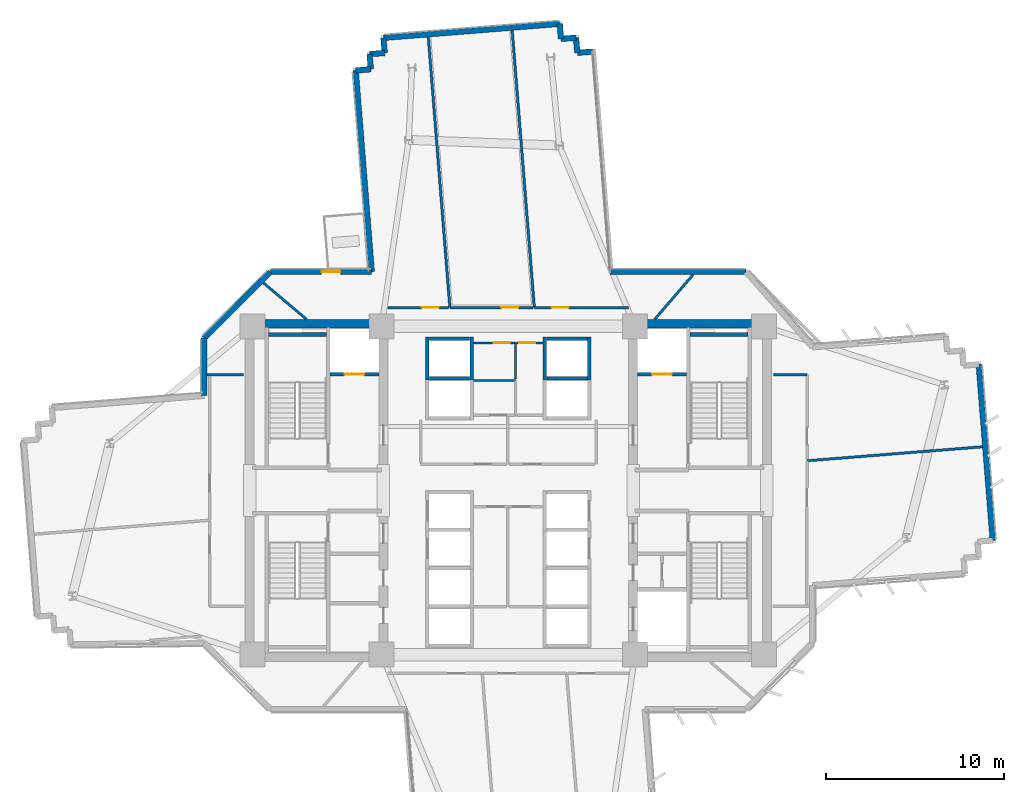
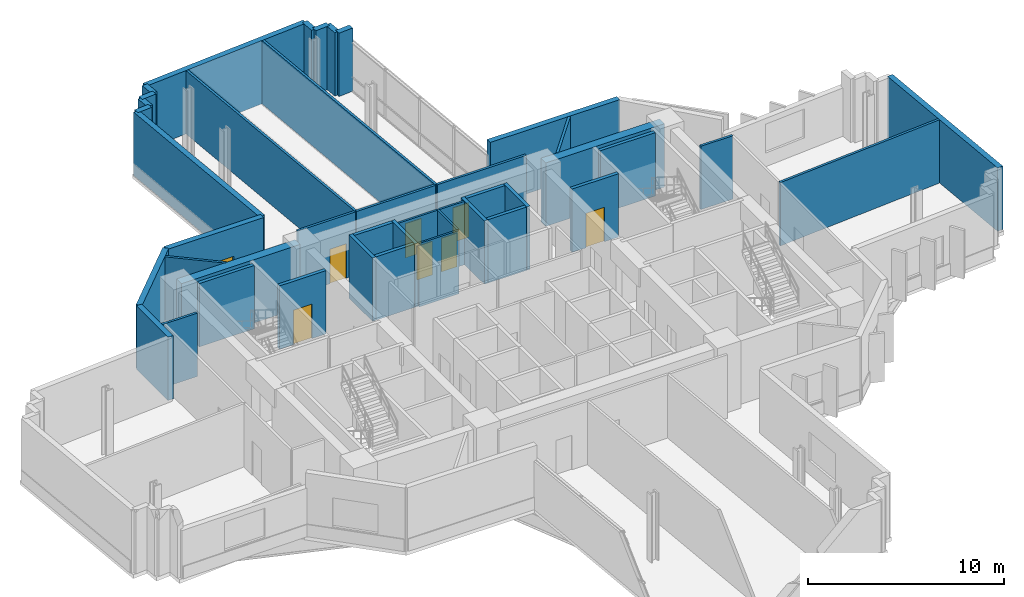
# One storey, part 9 of 15: 43 walls, 8 doors, 8 openings.
"""IFC4 building model written with IfcOpenShell, lengths in metres."""

from ifc_helpers import new_model, si_unit, direction, frame, frame_2d, origin, place, context, subcontext, project, spatial, rectangle, extrude, source, transform, mapped, material, layer, layer_set, type_object, element, fill, save


model = new_model("IFC4")

# Units and contexts
model_context = context("Model", 3, precision=1e-05, world=origin(), true_north=direction((0.0, 1.0)))
body_context = subcontext(model_context, "Body", "Model", "MODEL_VIEW")
ifc_project = project(units=[si_unit("LENGTHUNIT", "METRE"), si_unit("AREAUNIT", "SQUARE_METRE"), si_unit("VOLUMEUNIT", "CUBIC_METRE"), si_unit("PLANEANGLEUNIT", "RADIAN"), si_unit("MASSUNIT", "GRAM", prefix="KILO")], contexts=[model_context])

# Site, building, storey
site_placement = place(None, origin())
site = spatial("IfcSite", under=ifc_project, at=site_placement, CompositionType="ELEMENT")
building_placement = place(site_placement, origin())
building = spatial("IfcBuilding", under=site, at=building_placement, Name="Zahravan Cultural Tower", CompositionType="ELEMENT")
storey_placement = place(building_placement, frame((0.0, 0.0, 83.699951171875)))
storey = spatial("IfcBuildingStorey", under=building, at=storey_placement, Name="L18", CompositionType="ELEMENT", Elevation=83.699951171875)

# Wall, opening, door
ifc_material_1 = material(Name="Precast concrete C40/50", Category="concrete")
ifc_layer_1 = layer(ifc_material_1, 0.320068359375)
ifc_layer_set_1 = layer_set([ifc_layer_1], Name="Precast concrete C40/50")
wall_type_1 = type_object("IfcWallType", Name="EW-TC-320", PredefinedType="SOLIDWALL", material=ifc_layer_set_1)
wall_1_placement = place(storey_placement, frame((22.657958984375, 39.260009765625, 0.0), z_axis=(0.0, 0.0, 1.0), x_axis=(1.0, 0.0, 0.0)))
wall_1 = element("IfcWall", 1, at=wall_1_placement, inside=storey, type_object=wall_type_1, Name="L18 Exterior Masonry Frame Wall 40", PredefinedType="SOLIDWALL", context=body_context, shape_type="SweptSolid", body=[
    extrude(rectangle(XDim=5.68310546875, YDim=0.320068359375, at=frame_2d((2.841552734375, 0.0))), origin(), (0.0, 0.0, 1.0), 3.949951171875),
])
opening_1_placement = place(wall_1_placement, frame((2.8720703125, 0.0, 0.0)))
opening_1 = element("IfcOpeningElement", 2, at=opening_1_placement, cuts=wall_1, Name="Opening D-L18-TR-NW", PredefinedType="OPENING", context=body_context, shape_type="SweptSolid", body=[
    extrude(rectangle(XDim=1.050048828125, YDim=2.14990234375, at=frame_2d((0.52490234375, 1.074951171875))), frame((0.0, 0.169921875, 0.0), z_axis=(0.0, -1.0, 0.0), x_axis=(1.0, 0.0, 0.0)), (0.0, 0.0, 1.0), 0.340087890625),
])
ifc_material_2 = material(Name="Anodised bronze-aluminium mullion", Category="aluminium")
door_type_1 = type_object("IfcDoorType", Name="DR-TERR-1050", OperationType="NOTDEFINED", PredefinedType="DOOR", material=ifc_material_2)
shared_shape_1 = source(origin(), body_context, "Body", "SweptSolid", [
    extrude(rectangle(XDim=1.050048828125, YDim=2.14990234375, at=frame_2d((0.52490234375, 1.074951171875))), frame((0.0, 0.02490234375, 0.0), z_axis=(0.0, -1.0, 0.0), x_axis=(1.0, 0.0, 0.0)), (0.0, 0.0, 1.0), 0.050048828125),
])
door_1_placement = place(opening_1_placement, origin())
door_1 = element("IfcDoor", 3, at=door_1_placement, inside=storey, type_object=door_type_1, Name="L18 Terrace Access Door NW", OperationType="SINGLE_SWING_LEFT", OverallHeight=2.14990234375, OverallWidth=1.050048828125, PredefinedType="DOOR", context=body_context, shape_type="MappedRepresentation", body=[
    mapped(shared_shape_1, transform((0.0, 0.0, 0.0), x_axis=(1.0, 0.0, 0.0), y_axis=(0.0, 1.0, 0.0), z_axis=(0.0, 0.0, 1.0), scale=1.0)),
])
fill(opening_1, door_1)

ifc_material_3 = material(Name="Gypsum plasterboard partition")
ifc_layer_2 = layer(ifc_material_3, 0.139892578125)
ifc_layer_set_2 = layer_set([ifc_layer_2], Name="Gypsum plasterboard partition")
wall_type_2 = type_object("IfcWallType", Name="W-PART-140", PredefinedType="PARTITIONING", material=ifc_layer_set_2)
wall_2_placement = place(storey_placement, frame((37.3837890625, 37.260009765625, 0.0), z_axis=(0.0, 0.0, 1.0), x_axis=(-1.0, 0.0, 0.0)))
wall_2 = element("IfcWall", 4, at=wall_2_placement, inside=storey, type_object=wall_type_2, Name="L18 Interior Wall 086", PredefinedType="PARTITIONING", context=body_context, shape_type="SweptSolid", body=[
    extrude(rectangle(XDim=4.659912109375, YDim=0.139892578125, at=frame_2d((2.330078125, 0.0))), origin(), (0.0, 0.0, 1.0), 3.949951171875),
])
opening_2_placement = place(wall_2_placement, frame((0.816162109375, 0.0, 0.0)))
opening_2 = element("IfcOpeningElement", 5, at=opening_2_placement, cuts=wall_2, Name="Opening D-L18-22", PredefinedType="OPENING", context=body_context, shape_type="SweptSolid", body=[
    extrude(rectangle(XDim=0.949951171875, YDim=2.14990234375, at=frame_2d((0.47509765625, 1.074951171875))), frame((0.0, 0.079833984375, 0.0), z_axis=(0.0, -1.0, 0.0), x_axis=(1.0, 0.0, 0.0)), (0.0, 0.0, 1.0), 0.159912109375),
])
door_type_2 = type_object("IfcDoorType", Name="DR-ROOM-950", OperationType="NOTDEFINED", PredefinedType="DOOR", material=ifc_material_2)
shared_shape_2 = source(origin(), body_context, "Body", "SweptSolid", [
    extrude(rectangle(XDim=0.949951171875, YDim=2.14990234375, at=frame_2d((0.47509765625, 1.074951171875))), frame((0.0, 0.02490234375, 0.0), z_axis=(0.0, -1.0, 0.0), x_axis=(1.0, 0.0, 0.0)), (0.0, 0.0, 1.0), 0.050048828125),
])
door_2_placement = place(opening_2_placement, origin())
door_2 = element("IfcDoor", 6, at=door_2_placement, inside=storey, type_object=door_type_2, Name="L18 Door D-L18-22", OperationType="SINGLE_SWING_LEFT", OverallHeight=2.14990234375, OverallWidth=0.949951171875, PredefinedType="DOOR", context=body_context, shape_type="MappedRepresentation", body=[
    mapped(shared_shape_2, transform((0.0, 0.0, 0.0), x_axis=(1.0, 0.0, 0.0), y_axis=(0.0, 1.0, 0.0), z_axis=(0.0, 0.0, 1.0), scale=1.0)),
])
fill(opening_2, door_2)

wall_3_placement = place(storey_placement, frame((32.648681640625, 37.260009765625, 0.0), z_axis=(0.0, 0.0, 1.0), x_axis=(-0.999999935313, -0.00035968633, 0.0)))
wall_3 = element("IfcWall", 7, at=wall_3_placement, inside=storey, type_object=wall_type_2, Name="L18 Interior Wall 094", PredefinedType="PARTITIONING", context=body_context, shape_type="SweptSolid", body=[
    extrude(rectangle(XDim=3.393798828125, YDim=0.139892578125, at=frame_2d((1.69677734375, 0.0))), origin(), (0.0, 0.0, 1.0), 3.949951171875),
])
opening_3_placement = place(wall_3_placement, frame((0.53759765625, 0.0, 0.0)))
opening_3 = element("IfcOpeningElement", 8, at=opening_3_placement, cuts=wall_3, Name="Opening D-L18-23", PredefinedType="OPENING", context=body_context, shape_type="SweptSolid", body=[
    extrude(rectangle(XDim=0.949951171875, YDim=2.14990234375, at=frame_2d((0.47509765625, 1.074951171875))), frame((0.0, 0.079833984375, 0.0), z_axis=(0.0, -1.0, 0.0), x_axis=(1.0, 0.0, 0.0)), (0.0, 0.0, 1.0), 0.159912109375),
])
door_3_placement = place(opening_3_placement, origin())
door_3 = element("IfcDoor", 9, at=door_3_placement, inside=storey, type_object=door_type_2, Name="L18 Door D-L18-23", OperationType="SINGLE_SWING_RIGHT", OverallHeight=2.14990234375, OverallWidth=0.949951171875, PredefinedType="DOOR", context=body_context, shape_type="MappedRepresentation", body=[
    mapped(shared_shape_2, transform((0.0, 0.0, 0.0), x_axis=(1.0, 0.0, 0.0), y_axis=(0.0, 1.0, 0.0), z_axis=(0.0, 0.0, 1.0), scale=1.0)),
])
fill(opening_3, door_3)

wall_4_placement = place(storey_placement, frame((42.742431640625, 37.259765625, 0.0), z_axis=(0.0, 0.0, 1.0), x_axis=(-0.999999998924, 4.6384341e-05, 0.0)))
wall_4 = element("IfcWall", 10, at=wall_4_placement, inside=storey, type_object=wall_type_2, Name="L18 Interior Wall 096", PredefinedType="PARTITIONING", context=body_context, shape_type="SweptSolid", body=[
    extrude(rectangle(XDim=5.263427734375, YDim=0.139892578125, at=frame_2d((2.6318359375, 0.0))), origin(), (0.0, 0.0, 1.0), 3.949951171875),
])
opening_4_placement = place(wall_4_placement, frame((3.364501953125, 0.0, 0.0)))
opening_4 = element("IfcOpeningElement", 11, at=opening_4_placement, cuts=wall_4, Name="Opening D-L18-21", PredefinedType="OPENING", context=body_context, shape_type="SweptSolid", body=[
    extrude(rectangle(XDim=0.949951171875, YDim=2.14990234375, at=frame_2d((0.47509765625, 1.074951171875))), frame((0.0, 0.079833984375, 0.0), z_axis=(0.0, -1.0, 0.0), x_axis=(1.0, 0.0, 0.0)), (0.0, 0.0, 1.0), 0.159912109375),
])
door_4_placement = place(opening_4_placement, origin())
door_4 = element("IfcDoor", 12, at=door_4_placement, inside=storey, type_object=door_type_2, Name="L18 Door D-L18-21", OperationType="SINGLE_SWING_RIGHT", OverallHeight=2.14990234375, OverallWidth=0.949951171875, PredefinedType="DOOR", context=body_context, shape_type="MappedRepresentation", body=[
    mapped(shared_shape_2, transform((0.0, 0.0, 0.0), x_axis=(1.0, 0.0, 0.0), y_axis=(0.0, 1.0, 0.0), z_axis=(0.0, 0.0, 1.0), scale=1.0)),
])
fill(opening_4, door_4)

ifc_material_4 = material(Name="Concrete C45/55", Category="concrete")
ifc_layer_3 = layer(ifc_material_4, 0.199951171875)
ifc_layer_set_3 = layer_set([ifc_layer_3], Name="Concrete C45/55")
wall_type_3 = type_object("IfcWallType", Name="W-SHAFT-200", PredefinedType="SOLIDWALL", material=ifc_layer_set_3)
wall_5_placement = place(storey_placement, frame((26.0, 33.52001953125, 0.0), z_axis=(0.0, 0.0, 1.0), x_axis=(1.0, 0.0, 0.0)))
wall_5 = element("IfcWall", 13, at=wall_5_placement, inside=storey, type_object=wall_type_3, Name="L18 Interior Wall 021", PredefinedType="SOLIDWALL", context=body_context, shape_type="SweptSolid", body=[
    extrude(rectangle(XDim=2.75, YDim=0.199951171875, at=frame_2d((1.375, 0.0))), origin(), (0.0, 0.0, 1.0), 3.949951171875),
])
opening_5_placement = place(wall_5_placement, frame((0.820068359375, 0.0, 0.0)))
opening_5 = element("IfcOpeningElement", 14, at=opening_5_placement, cuts=wall_5, Name="Opening LD-L18-01", PredefinedType="OPENING", context=body_context, shape_type="SweptSolid", body=[
    extrude(rectangle(XDim=1.10009765625, YDim=2.14990234375, at=frame_2d((0.550048828125, 1.074951171875))), frame((0.0, 0.10986328125, 0.0), z_axis=(0.0, -1.0, 0.0), x_axis=(1.0, 0.0, 0.0)), (0.0, 0.0, 1.0), 0.219970703125),
])
ifc_material_5 = material(Name="Steel ASTM A572 Grade 50", Category="steel")
door_type_3 = type_object("IfcDoorType", Name="DR-LIFT-1100", OperationType="DOUBLE_DOOR_SLIDING", PredefinedType="DOOR", material=ifc_material_5)
shared_shape_3 = source(origin(), body_context, "Body", "SweptSolid", [
    extrude(rectangle(XDim=1.10009765625, YDim=2.14990234375, at=frame_2d((0.550048828125, 1.074951171875))), frame((0.0, 0.02490234375, 0.0), z_axis=(0.0, -1.0, 0.0), x_axis=(1.0, 0.0, 0.0)), (0.0, 0.0, 1.0), 0.050048828125),
])
door_5_placement = place(opening_5_placement, origin())
door_5 = element("IfcDoor", 15, at=door_5_placement, inside=storey, type_object=door_type_3, Name="L18 Door LD-L18-01", OperationType="DOUBLE_DOOR_SLIDING", OverallHeight=2.14990234375, OverallWidth=1.10009765625, PredefinedType="DOOR", context=body_context, shape_type="MappedRepresentation", body=[
    mapped(shared_shape_3, transform((0.0, 0.0, 0.0), x_axis=(1.0, 0.0, 0.0), y_axis=(0.0, 1.0, 0.0), z_axis=(0.0, 0.0, 1.0), scale=1.0)),
])
fill(opening_5, door_5)

wall_6_placement = place(storey_placement, frame((43.25, 33.52001953125, 0.0), z_axis=(0.0, 0.0, 1.0), x_axis=(1.0, 0.0, 0.0)))
wall_6 = element("IfcWall", 16, at=wall_6_placement, inside=storey, type_object=wall_type_3, Name="L18 Interior Wall 022", PredefinedType="SOLIDWALL", context=body_context, shape_type="SweptSolid", body=[
    extrude(rectangle(XDim=2.75, YDim=0.199951171875, at=frame_2d((1.375, 0.0))), origin(), (0.0, 0.0, 1.0), 3.949951171875),
])
opening_6_placement = place(wall_6_placement, frame((0.820068359375, 0.0, 0.0)))
opening_6 = element("IfcOpeningElement", 17, at=opening_6_placement, cuts=wall_6, Name="Opening LD-L18-02", PredefinedType="OPENING", context=body_context, shape_type="SweptSolid", body=[
    extrude(rectangle(XDim=1.10009765625, YDim=2.14990234375, at=frame_2d((0.550048828125, 1.074951171875))), frame((0.0, 0.10986328125, 0.0), z_axis=(0.0, -1.0, 0.0), x_axis=(1.0, 0.0, 0.0)), (0.0, 0.0, 1.0), 0.219970703125),
])
door_6_placement = place(opening_6_placement, origin())
door_6 = element("IfcDoor", 18, at=door_6_placement, inside=storey, type_object=door_type_3, Name="L18 Door LD-L18-02", OperationType="DOUBLE_DOOR_SLIDING", OverallHeight=2.14990234375, OverallWidth=1.10009765625, PredefinedType="DOOR", context=body_context, shape_type="MappedRepresentation", body=[
    mapped(shared_shape_3, transform((0.0, 0.0, 0.0), x_axis=(1.0, 0.0, 0.0), y_axis=(0.0, 1.0, 0.0), z_axis=(0.0, 0.0, 1.0), scale=1.0)),
])
fill(opening_6, door_6)

ifc_layer_4 = layer(ifc_material_3, 0.114990234375)
ifc_layer_set_4 = layer_set([ifc_layer_4], Name="Gypsum plasterboard partition")
wall_type_4 = type_object("IfcWallType", Name="W-WC-115", PredefinedType="PARTITIONING", material=ifc_layer_set_4)
wall_7_placement = place(storey_placement, frame((34.054931640625, 35.280029296875, 0.0), z_axis=(0.0, 0.0, 1.0), x_axis=(1.0, 0.0, 0.0)))
wall_7 = element("IfcWall", 19, at=wall_7_placement, inside=storey, type_object=wall_type_4, Name="L18 Interior Wall 071", PredefinedType="PARTITIONING", context=body_context, shape_type="SweptSolid", body=[
    extrude(rectangle(XDim=2.35498046875, YDim=0.114990234375, at=frame_2d((1.177490234375, 0.0))), origin(), (0.0, 0.0, 1.0), 3.949951171875),
])
opening_7_placement = place(wall_7_placement, frame((1.120849609375, 0.0, 0.0)))
opening_7 = element("IfcOpeningElement", 20, at=opening_7_placement, cuts=wall_7, Name="Opening D-L18-13", PredefinedType="OPENING", context=body_context, shape_type="SweptSolid", body=[
    extrude(rectangle(XDim=0.89990234375, YDim=2.10009765625, at=frame_2d((0.449951171875, 1.050048828125))), frame((0.0, 0.0673828125, 0.0), z_axis=(0.0, -1.0, 0.0), x_axis=(1.0, 0.0, 0.0)), (0.0, 0.0, 1.0), 0.135009765625),
])
door_type_4 = type_object("IfcDoorType", Name="DR-WC-900", OperationType="NOTDEFINED", PredefinedType="DOOR", material=ifc_material_2)
shared_shape_4 = source(origin(), body_context, "Body", "SweptSolid", [
    extrude(rectangle(XDim=0.89990234375, YDim=2.10009765625, at=frame_2d((0.449951171875, 1.050048828125))), frame((0.0, 0.02490234375, 0.0), z_axis=(0.0, -1.0, 0.0), x_axis=(1.0, 0.0, 0.0)), (0.0, 0.0, 1.0), 0.050048828125),
])
door_7_placement = place(opening_7_placement, origin())
door_7 = element("IfcDoor", 21, at=door_7_placement, inside=storey, type_object=door_type_4, Name="L18 Door D-L18-13", OperationType="SINGLE_SWING_RIGHT", OverallHeight=2.10009765625, OverallWidth=0.89990234375, PredefinedType="DOOR", context=body_context, shape_type="MappedRepresentation", body=[
    mapped(shared_shape_4, transform((0.0, 0.0, 0.0), x_axis=(1.0, 0.0, 0.0), y_axis=(0.0, 1.0, 0.0), z_axis=(0.0, 0.0, 1.0), scale=1.0)),
])
fill(opening_7, door_7)

wall_8_placement = place(storey_placement, frame((36.472412109375, 35.280029296875, 0.0), z_axis=(0.0, 0.0, 1.0), x_axis=(1.0, 0.0, 0.0)))
wall_8 = element("IfcWall", 22, at=wall_8_placement, inside=storey, type_object=wall_type_4, Name="L18 Interior Wall 074", PredefinedType="PARTITIONING", context=body_context, shape_type="SweptSolid", body=[
    extrude(rectangle(XDim=1.47265625, YDim=0.114990234375, at=frame_2d((0.736328125, 0.0))), origin(), (0.0, 0.0, 1.0), 3.949951171875),
])
opening_8_placement = place(wall_8_placement, frame((0.139892578125, 0.0, 0.0)))
opening_8 = element("IfcOpeningElement", 23, at=opening_8_placement, cuts=wall_8, Name="Opening D-L18-14", PredefinedType="OPENING", context=body_context, shape_type="SweptSolid", body=[
    extrude(rectangle(XDim=0.89990234375, YDim=2.10009765625, at=frame_2d((0.449951171875, 1.050048828125))), frame((0.0, 0.0673828125, 0.0), z_axis=(0.0, -1.0, 0.0), x_axis=(1.0, 0.0, 0.0)), (0.0, 0.0, 1.0), 0.135009765625),
])
door_8_placement = place(opening_8_placement, origin())
door_8 = element("IfcDoor", 24, at=door_8_placement, inside=storey, type_object=door_type_4, Name="L18 Door D-L18-14", OperationType="SINGLE_SWING_LEFT", OverallHeight=2.10009765625, OverallWidth=0.89990234375, PredefinedType="DOOR", context=body_context, shape_type="MappedRepresentation", body=[
    mapped(shared_shape_4, transform((0.0, 0.0, 0.0), x_axis=(1.0, 0.0, 0.0), y_axis=(0.0, 1.0, 0.0), z_axis=(0.0, 0.0, 1.0), scale=1.0)),
])
fill(opening_8, door_8)

# Walls
ifc_material_6 = material(Name="Concrete C60/75", Category="concrete")
ifc_layer_5 = layer(ifc_material_6, 0.5)
ifc_layer_set_5 = layer_set([ifc_layer_5], Name="Concrete C60/75")
wall_type_5 = type_object("IfcWallType", Name="CW-SHEAR-500-C60", PredefinedType="SHEAR", material=ifc_layer_set_5)
shared_shape_5 = source(origin(), body_context, "Body", "SweptSolid", [
    extrude(rectangle(XDim=7.0, YDim=0.5, at=frame_2d((3.5, 0.0))), origin(), (0.0, 0.0, 1.0), 3.949951171875),
])
for number, where, z_axis, x_axis, name in (
    (25, (21.75, 36.35009765625, 0.0), (0.0, 0.0, 1.0), (1.0, 0.0, 0.0), "L18 Core Shear Wall CW-W-N-L18"),
    (26, (43.25, 36.35009765625, 0.0), (0.0, 0.0, 1.0), (1.0, 0.0, 0.0), "L18 Core Shear Wall CW-E-N-L18"),
):
    element("IfcWall", number, at=place(storey_placement, frame(where, z_axis=z_axis, x_axis=x_axis)), inside=storey, type_object=wall_type_5, Name=name, PredefinedType="SHEAR", context=body_context, shape_type="MappedRepresentation", body=[
        mapped(shared_shape_5, transform((0.0, 0.0, 0.0), x_axis=(1.0, 0.0, 0.0), y_axis=(0.0, 1.0, 0.0), z_axis=(0.0, 0.0, 1.0), scale=1.0)),
    ])
shared_shape_6 = source(origin(), body_context, "Body", "SweptSolid", [
    extrude(rectangle(XDim=0.849853515625, YDim=0.320068359375, at=frame_2d((0.4248046875, 0.0))), origin(), (0.0, 0.0, 1.0), 3.949951171875),
])
for number, where, z_axis, x_axis, name in (
    (27, (29.0673828125, 51.53662109375, 0.0), (0.0, 0.0, 1.0), (-0.079573954853, 0.996828965123, 0.0), "L18 Exterior Masonry Frame Wall 45"),
    (28, (38.9560546875, 52.3251953125, 0.0), (0.0, 0.0, 1.0), (0.996851711541, 0.079288493483, 0.0), "L18 Exterior Masonry Frame Wall 48"),
    (29, (39.80322265625, 52.392578125, 0.0), (0.0, 0.0, 1.0), (0.079573954853, -0.996828965123, 0.0), "L18 Exterior Masonry Frame Wall 49"),
):
    element("IfcWall", number, at=place(storey_placement, frame(where, z_axis=z_axis, x_axis=x_axis)), inside=storey, type_object=wall_type_1, Name=name, PredefinedType="SOLIDWALL", context=body_context, shape_type="MappedRepresentation", body=[
        mapped(shared_shape_6, transform((0.0, 0.0, 0.0), x_axis=(1.0, 0.0, 0.0), y_axis=(0.0, 1.0, 0.0), z_axis=(0.0, 0.0, 1.0), scale=1.0)),
    ])
shared_shape_7 = source(origin(), body_context, "Body", "SweptSolid", [
    extrude(rectangle(XDim=0.85009765625, YDim=0.320068359375, at=frame_2d((0.425048828125, 0.0))), origin(), (0.0, 0.0, 1.0), 3.949951171875),
])
for number, where, z_axis, x_axis, name in (
    (30, (27.440185546875, 50.55419921875, 0.0), (0.0, 0.0, 1.0), (0.99685351678, 0.079265793901, 0.0), "L18 Exterior Masonry Frame Wall 42"),
    (31, (28.28759765625, 50.62158203125, 0.0), (0.0, 0.0, 1.0), (-0.079551174585, 0.996830783344, 0.0), "L18 Exterior Masonry Frame Wall 43"),
    (32, (28.219970703125, 51.468994140625, 0.0), (0.0, 0.0, 1.0), (0.996830783344, 0.079551174585, 0.0), "L18 Exterior Masonry Frame Wall 44"),
    (33, (38.888427734375, 53.172607421875, 0.0), (0.0, 0.0, 1.0), (0.079551174585, -0.996830783344, 0.0), "L18 Exterior Masonry Frame Wall 47"),
    (34, (39.870849609375, 51.54541015625, 0.0), (0.0, 0.0, 1.0), (0.996830783344, 0.079551174585, 0.0), "L18 Exterior Masonry Frame Wall 50"),
):
    element("IfcWall", number, at=place(storey_placement, frame(where, z_axis=z_axis, x_axis=x_axis)), inside=storey, type_object=wall_type_1, Name=name, PredefinedType="SOLIDWALL", context=body_context, shape_type="MappedRepresentation", body=[
        mapped(shared_shape_7, transform((0.0, 0.0, 0.0), x_axis=(1.0, 0.0, 0.0), y_axis=(0.0, 1.0, 0.0), z_axis=(0.0, 0.0, 1.0), scale=1.0)),
    ])
shared_shape_8 = source(origin(), body_context, "Body", "SweptSolid", [
    extrude(rectangle(XDim=9.919921875, YDim=0.320068359375, at=frame_2d((4.9599609375, 0.0))), origin(), (0.0, 0.0, 1.0), 3.949951171875),
])
wall_9_placement = place(storey_placement, frame((62.380615234375, 34.07958984375, 0.0), z_axis=(0.0, 0.0, 1.0), x_axis=(0.07949480177, -0.996835280521, 0.0)))
element("IfcWall", 35, at=wall_9_placement, inside=storey, type_object=wall_type_1, Name="L18 Exterior Masonry Frame Wall 06", PredefinedType="SOLIDWALL", context=body_context, shape_type="MappedRepresentation", body=[
    mapped(shared_shape_8, transform((0.0, 0.0, 0.0), x_axis=(1.0, 0.0, 0.0), y_axis=(0.0, 1.0, 0.0), z_axis=(0.0, 0.0, 1.0), scale=1.0)),
])
shared_shape_9 = source(origin(), body_context, "Body", "SweptSolid", [
    extrude(rectangle(XDim=5.258056640625, YDim=0.320068359375, at=frame_2d((2.62890625, 0.0))), origin(), (0.0, 0.0, 1.0), 3.949951171875),
])
wall_10_placement = place(storey_placement, frame((18.93994140625, 35.5419921875, 0.0), z_axis=(0.0, 0.0, 1.0), x_axis=(0.707106781187, 0.707106781187, 0.0)))
element("IfcWall", 36, at=wall_10_placement, inside=storey, type_object=wall_type_1, Name="L18 Exterior Masonry Frame Wall 39", PredefinedType="SOLIDWALL", context=body_context, shape_type="MappedRepresentation", body=[
    mapped(shared_shape_9, transform((0.0, 0.0, 0.0), x_axis=(1.0, 0.0, 0.0), y_axis=(0.0, 1.0, 0.0), z_axis=(0.0, 0.0, 1.0), scale=1.0)),
])
shared_shape_10 = source(origin(), body_context, "Body", "SweptSolid", [
    extrude(rectangle(XDim=3.221435546875, YDim=0.320068359375, at=frame_2d((1.61083984375, 0.0))), origin(), (0.0, 0.0, 1.0), 3.949951171875),
])
wall_11_placement = place(storey_placement, frame((18.93994140625, 32.320556640625, 0.0), z_axis=(0.0, 0.0, 1.0), x_axis=(0.0, 1.0, 0.0)))
element("IfcWall", 37, at=wall_11_placement, inside=storey, type_object=wall_type_1, Name="L18 Exterior Masonry Frame Wall 38", PredefinedType="SOLIDWALL", context=body_context, shape_type="MappedRepresentation", body=[
    mapped(shared_shape_10, transform((0.0, 0.0, 0.0), x_axis=(1.0, 0.0, 0.0), y_axis=(0.0, 1.0, 0.0), z_axis=(0.0, 0.0, 1.0), scale=1.0)),
])
shared_shape_11 = source(origin(), body_context, "Body", "SweptSolid", [
    extrude(rectangle(XDim=7.638671875, YDim=0.320068359375, at=frame_2d((3.8193359375, 0.0))), origin(), (0.0, 0.0, 1.0), 3.949951171875),
])
wall_12_placement = place(storey_placement, frame((41.703369140625, 39.260009765625, 0.0), z_axis=(0.0, 0.0, 1.0), x_axis=(1.0, 0.0, 0.0)))
element("IfcWall", 38, at=wall_12_placement, inside=storey, type_object=wall_type_1, Name="L18 Exterior Masonry Frame Wall 51", PredefinedType="SOLIDWALL", context=body_context, shape_type="MappedRepresentation", body=[
    mapped(shared_shape_11, transform((0.0, 0.0, 0.0), x_axis=(1.0, 0.0, 0.0), y_axis=(0.0, 1.0, 0.0), z_axis=(0.0, 0.0, 1.0), scale=1.0)),
])
shared_shape_12 = source(origin(), body_context, "Body", "SweptSolid", [
    extrude(rectangle(XDim=11.330078125, YDim=0.320068359375, at=frame_2d((5.6650390625, 0.0))), origin(), (0.0, 0.0, 1.0), 3.949951171875),
])
wall_13_placement = place(storey_placement, frame((28.341064453125, 39.260009765625, 0.0), z_axis=(0.0, 0.0, 1.0), x_axis=(-0.079512268319, 0.996833887459, 0.0)))
element("IfcWall", 39, at=wall_13_placement, inside=storey, type_object=wall_type_1, Name="L18 Exterior Masonry Frame Wall 41", PredefinedType="SOLIDWALL", context=body_context, shape_type="MappedRepresentation", body=[
    mapped(shared_shape_12, transform((0.0, 0.0, 0.0), x_axis=(1.0, 0.0, 0.0), y_axis=(0.0, 1.0, 0.0), z_axis=(0.0, 0.0, 1.0), scale=1.0)),
])
shared_shape_13 = source(origin(), body_context, "Body", "SweptSolid", [
    extrude(rectangle(XDim=9.920166015625, YDim=0.320068359375, at=frame_2d((4.9599609375, 0.0))), origin(), (0.0, 0.0, 1.0), 3.949951171875),
])
wall_14_placement = place(storey_placement, frame((28.999755859375, 52.3837890625, 0.0), z_axis=(0.0, 0.0, 1.0), x_axis=(0.996833485558, 0.079517306731, 0.0)))
element("IfcWall", 40, at=wall_14_placement, inside=storey, type_object=wall_type_1, Name="L18 Exterior Masonry Frame Wall 46", PredefinedType="SOLIDWALL", context=body_context, shape_type="MappedRepresentation", body=[
    mapped(shared_shape_13, transform((0.0, 0.0, 0.0), x_axis=(1.0, 0.0, 0.0), y_axis=(0.0, 1.0, 0.0), z_axis=(0.0, 0.0, 1.0), scale=1.0)),
])
shared_shape_14 = source(origin(), body_context, "Body", "SweptSolid", [
    extrude(rectangle(XDim=3.25, YDim=0.199951171875, at=frame_2d((1.625, 0.0))), origin(), (0.0, 0.0, 1.0), 3.949951171875),
])
for number, where, z_axis, x_axis, name in (
    (41, (22.550048828125, 35.75, 0.0), (0.0, 0.0, 1.0), (1.0, 0.0, 0.0), "L18 Interior Wall 017"),
    (42, (46.199951171875, 35.75, 0.0), (0.0, 0.0, 1.0), (1.0, 0.0, 0.0), "L18 Interior Wall 018"),
):
    element("IfcWall", number, at=place(storey_placement, frame(where, z_axis=z_axis, x_axis=x_axis)), inside=storey, type_object=wall_type_3, Name=name, PredefinedType="SOLIDWALL", context=body_context, shape_type="MappedRepresentation", body=[
        mapped(shared_shape_14, transform((0.0, 0.0, 0.0), x_axis=(1.0, 0.0, 0.0), y_axis=(0.0, 1.0, 0.0), z_axis=(0.0, 0.0, 1.0), scale=1.0)),
    ])
shared_shape_15 = source(origin(), body_context, "Body", "SweptSolid", [
    extrude(rectangle(XDim=2.400146484375, YDim=0.199951171875, at=frame_2d((1.2001953125, 0.0))), origin(), (0.0, 0.0, 1.0), 3.949951171875),
])
for number, where, z_axis, x_axis, name in (
    (43, (31.449951171875, 33.199951171875, 0.0), (0.0, 0.0, 1.0), (0.0, 1.0, 0.0), "L18 Interior Wall 028"),
    (44, (33.949951171875, 33.199951171875, 0.0), (0.0, 0.0, 1.0), (0.0, 1.0, 0.0), "L18 Interior Wall 029"),
    (45, (38.050048828125, 33.199951171875, 0.0), (0.0, 0.0, 1.0), (0.0, 1.0, 0.0), "L18 Interior Wall 035"),
    (46, (40.550048828125, 33.199951171875, 0.0), (0.0, 0.0, 1.0), (0.0, 1.0, 0.0), "L18 Interior Wall 036"),
):
    element("IfcWall", number, at=place(storey_placement, frame(where, z_axis=z_axis, x_axis=x_axis)), inside=storey, type_object=wall_type_3, Name=name, PredefinedType="SOLIDWALL", context=body_context, shape_type="MappedRepresentation", body=[
        mapped(shared_shape_15, transform((0.0, 0.0, 0.0), x_axis=(1.0, 0.0, 0.0), y_axis=(0.0, 1.0, 0.0), z_axis=(0.0, 0.0, 1.0), scale=1.0)),
    ])
shared_shape_16 = source(origin(), body_context, "Body", "SweptSolid", [
    extrude(rectangle(XDim=2.260009765625, YDim=0.199951171875, at=frame_2d((1.1298828125, 0.0))), origin(), (0.0, 0.0, 1.0), 3.949951171875),
])
for number, where, z_axis, x_axis, name in (
    (47, (31.570068359375, 33.300048828125, 0.0), (0.0, 0.0, 1.0), (1.0, 0.0, 0.0), "L18 Interior Wall 030"),
    (48, (31.570068359375, 35.5, 0.0), (0.0, 0.0, 1.0), (1.0, 0.0, 0.0), "L18 Interior Wall 031"),
    (49, (38.169921875, 33.300048828125, 0.0), (0.0, 0.0, 1.0), (1.0, 0.0, 0.0), "L18 Interior Wall 037"),
    (50, (38.169921875, 35.5, 0.0), (0.0, 0.0, 1.0), (1.0, 0.0, 0.0), "L18 Interior Wall 038"),
):
    element("IfcWall", number, at=place(storey_placement, frame(where, z_axis=z_axis, x_axis=x_axis)), inside=storey, type_object=wall_type_3, Name=name, PredefinedType="SOLIDWALL", context=body_context, shape_type="MappedRepresentation", body=[
        mapped(shared_shape_16, transform((0.0, 0.0, 0.0), x_axis=(1.0, 0.0, 0.0), y_axis=(0.0, 1.0, 0.0), z_axis=(0.0, 0.0, 1.0), scale=1.0)),
    ])
shared_shape_17 = source(origin(), body_context, "Body", "SweptSolid", [
    extrude(rectangle(XDim=2.35498046875, YDim=0.114990234375, at=frame_2d((1.177490234375, 0.0))), origin(), (0.0, 0.0, 1.0), 3.949951171875),
])
wall_15_placement = place(storey_placement, frame((34.054931640625, 33.179931640625, 0.0), z_axis=(0.0, 0.0, 1.0), x_axis=(1.0, 0.0, 0.0)))
element("IfcWall", 51, at=wall_15_placement, inside=storey, type_object=wall_type_4, Name="L18 Interior Wall 069", PredefinedType="PARTITIONING", context=body_context, shape_type="MappedRepresentation", body=[
    mapped(shared_shape_17, transform((0.0, 0.0, 0.0), x_axis=(1.0, 0.0, 0.0), y_axis=(0.0, 1.0, 0.0), z_axis=(0.0, 0.0, 1.0), scale=1.0)),
])
shared_shape_18 = source(origin(), body_context, "Body", "SweptSolid", [
    extrude(rectangle(XDim=2.0400390625, YDim=0.114990234375, at=frame_2d((1.02001953125, 0.0))), origin(), (0.0, 0.0, 1.0), 3.949951171875),
])
wall_16_placement = place(storey_placement, frame((36.409912109375, 35.280029296875, 0.0), z_axis=(0.0, 0.0, 1.0), x_axis=(0.0, -1.0, 0.0)))
element("IfcWall", 52, at=wall_16_placement, inside=storey, type_object=wall_type_4, Name="L18 Interior Wall 072", PredefinedType="PARTITIONING", context=body_context, shape_type="MappedRepresentation", body=[
    mapped(shared_shape_18, transform((0.0, 0.0, 0.0), x_axis=(1.0, 0.0, 0.0), y_axis=(0.0, 1.0, 0.0), z_axis=(0.0, 0.0, 1.0), scale=1.0)),
])
shared_shape_19 = source(origin(), body_context, "Body", "SweptSolid", [
    extrude(rectangle(XDim=2.04931640625, YDim=0.139892578125, at=frame_2d((1.024658203125, 0.0))), origin(), (0.0, 0.0, 1.0), 3.949951171875),
])
wall_17_placement = place(storey_placement, frame((21.1494140625, 33.49658203125, 0.0), z_axis=(0.0, 0.0, 1.0), x_axis=(-0.999999936133, 0.000357398119, 0.0)))
element("IfcWall", 53, at=wall_17_placement, inside=storey, type_object=wall_type_2, Name="L18 Interior Wall 111", PredefinedType="PARTITIONING", context=body_context, shape_type="MappedRepresentation", body=[
    mapped(shared_shape_19, transform((0.0, 0.0, 0.0), x_axis=(1.0, 0.0, 0.0), y_axis=(0.0, 1.0, 0.0), z_axis=(0.0, 0.0, 1.0), scale=1.0)),
])
shared_shape_20 = source(origin(), body_context, "Body", "SweptSolid", [
    extrude(rectangle(XDim=15.58349609375, YDim=0.139892578125, at=frame_2d((7.791748046875, 0.0))), origin(), (0.0, 0.0, 1.0), 3.949951171875),
])
wall_18_placement = place(storey_placement, frame((36.219970703125, 52.794189453125, 0.0), z_axis=(0.0, 0.0, 1.0), x_axis=(0.079507979427, -0.996834229552, 0.0)))
element("IfcWall", 54, at=wall_18_placement, inside=storey, type_object=wall_type_2, Name="L18 Interior Wall 085", PredefinedType="PARTITIONING", context=body_context, shape_type="MappedRepresentation", body=[
    mapped(shared_shape_20, transform((0.0, 0.0, 0.0), x_axis=(1.0, 0.0, 0.0), y_axis=(0.0, 1.0, 0.0), z_axis=(0.0, 0.0, 1.0), scale=1.0)),
])
shared_shape_21 = source(origin(), body_context, "Body", "SweptSolid", [
    extrude(rectangle(XDim=15.20703125, YDim=0.139892578125, at=frame_2d((7.603515625, 0.0))), origin(), (0.0, 0.0, 1.0), 3.949951171875),
])
wall_19_placement = place(storey_placement, frame((32.723876953125, 37.260009765625, 0.0), z_axis=(0.0, 0.0, 1.0), x_axis=(-0.07950146843, 0.996834748851, 0.0)))
element("IfcWall", 55, at=wall_19_placement, inside=storey, type_object=wall_type_2, Name="L18 Interior Wall 087", PredefinedType="PARTITIONING", context=body_context, shape_type="MappedRepresentation", body=[
    mapped(shared_shape_21, transform((0.0, 0.0, 0.0), x_axis=(1.0, 0.0, 0.0), y_axis=(0.0, 1.0, 0.0), z_axis=(0.0, 0.0, 1.0), scale=1.0)),
])
shared_shape_22 = source(origin(), body_context, "Body", "SweptSolid", [
    extrude(rectangle(XDim=3.154541015625, YDim=0.139892578125, at=frame_2d((1.5771484375, 0.0))), origin(), (0.0, 0.0, 1.0), 3.949951171875),
])
wall_20_placement = place(storey_placement, frame((24.681640625, 36.60498046875, 0.0), z_axis=(0.0, 0.0, 1.0), x_axis=(-0.76411384058, 0.645081420159, 0.0)))
element("IfcWall", 56, at=wall_20_placement, inside=storey, type_object=wall_type_2, Name="L18 Interior Wall 095", PredefinedType="PARTITIONING", context=body_context, shape_type="MappedRepresentation", body=[
    mapped(shared_shape_22, transform((0.0, 0.0, 0.0), x_axis=(1.0, 0.0, 0.0), y_axis=(0.0, 1.0, 0.0), z_axis=(0.0, 0.0, 1.0), scale=1.0)),
])
shared_shape_23 = source(origin(), body_context, "Body", "SweptSolid", [
    extrude(rectangle(XDim=3.2900390625, YDim=0.139892578125, at=frame_2d((1.64501953125, 0.0))), origin(), (0.0, 0.0, 1.0), 3.949951171875),
])
wall_21_placement = place(storey_placement, frame((46.359619140625, 39.098876953125, 0.0), z_axis=(0.0, 0.0, 1.0), x_axis=(-0.652214149627, -0.758034763732, 0.0)))
element("IfcWall", 57, at=wall_21_placement, inside=storey, type_object=wall_type_2, Name="L18 Interior Wall 098", PredefinedType="PARTITIONING", context=body_context, shape_type="MappedRepresentation", body=[
    mapped(shared_shape_23, transform((0.0, 0.0, 0.0), x_axis=(1.0, 0.0, 0.0), y_axis=(0.0, 1.0, 0.0), z_axis=(0.0, 0.0, 1.0), scale=1.0)),
])
shared_shape_24 = source(origin(), body_context, "Body", "SweptSolid", [
    extrude(rectangle(XDim=9.865478515625, YDim=0.139892578125, at=frame_2d((4.9326171875, 0.0))), origin(), (0.0, 0.0, 1.0), 3.949951171875),
])
wall_22_placement = place(storey_placement, frame((62.584228515625, 29.451416015625, 0.0), z_axis=(0.0, 0.0, 1.0), x_axis=(-0.996833900052, -0.079512110446, 0.0)))
element("IfcWall", 58, at=wall_22_placement, inside=storey, type_object=wall_type_2, Name="L18 Interior Wall 103", PredefinedType="PARTITIONING", context=body_context, shape_type="MappedRepresentation", body=[
    mapped(shared_shape_24, transform((0.0, 0.0, 0.0), x_axis=(1.0, 0.0, 0.0), y_axis=(0.0, 1.0, 0.0), z_axis=(0.0, 0.0, 1.0), scale=1.0)),
])
shared_shape_25 = source(origin(), body_context, "Body", "SweptSolid", [
    extrude(rectangle(XDim=1.891845703125, YDim=0.139892578125, at=frame_2d((0.94580078125, 0.0))), origin(), (0.0, 0.0, 1.0), 3.949951171875),
])
wall_23_placement = place(storey_placement, frame((52.74951171875, 33.49658203125, 0.0), z_axis=(0.0, 0.0, 1.0), x_axis=(-0.999998592772, 0.001677633463, 0.0)))
element("IfcWall", 59, at=wall_23_placement, inside=storey, type_object=wall_type_2, Name="L18 Interior Wall 105", PredefinedType="PARTITIONING", context=body_context, shape_type="MappedRepresentation", body=[
    mapped(shared_shape_25, transform((0.0, 0.0, 0.0), x_axis=(1.0, 0.0, 0.0), y_axis=(0.0, 1.0, 0.0), z_axis=(0.0, 0.0, 1.0), scale=1.0)),
])

save(model, "model.ifc")
